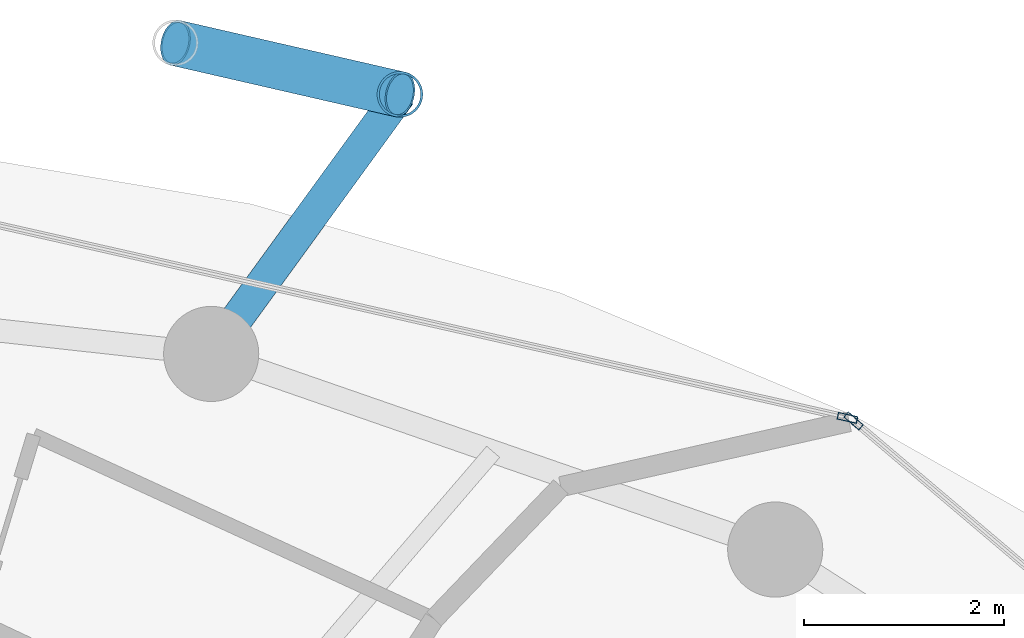
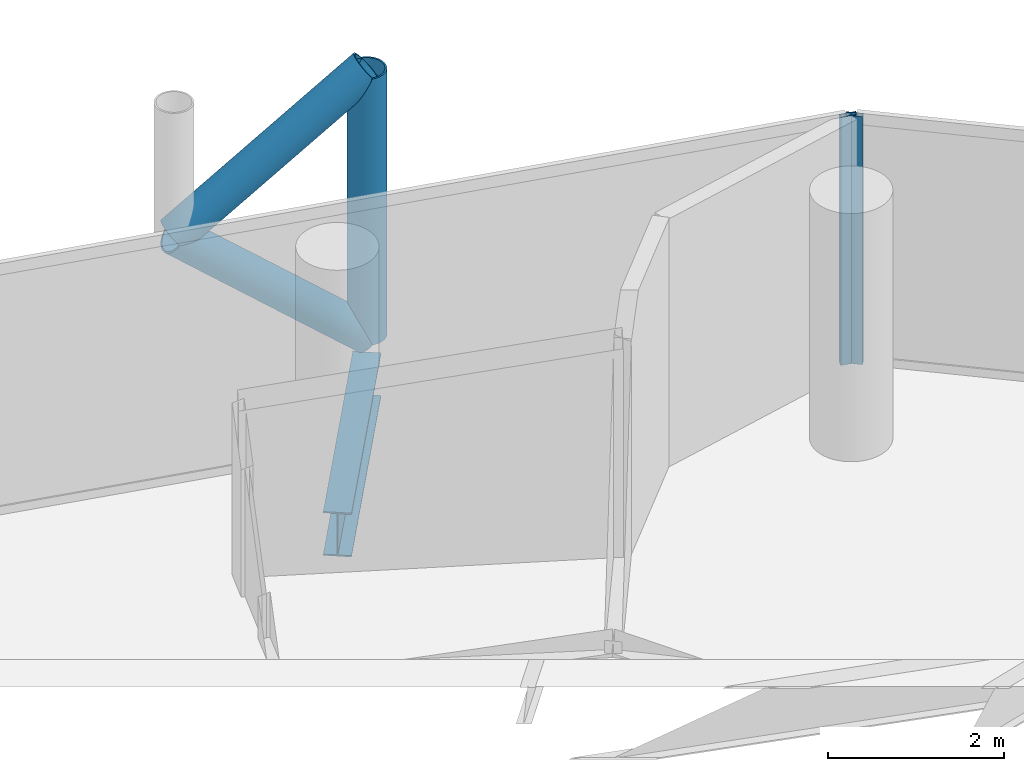
# One storey, part 20 of 26: 5 members, 1 beam, 2 elements without a shape of their own.
"""IFC4 building model written with IfcOpenShell, lengths in metres."""

import ifcopenshell
import ifcopenshell.guid

model = None  # the IFC model being written
_history = None  # IfcOwnerHistory: only IFC2X3 demands one
_inside = {}  # id of a spatial element -> (the spatial element, [elements in it])
_under = {}  # id of a project, library or spatial element -> (it, [spatial elements below it])
_declared = {}  # id of a project -> (the project, [libraries it declares])
_typed = {}  # id of a type object -> (the type object, [elements of that type])
_made_of = {}  # id of a material, layer set ... -> (it, [elements and type objects made of it])


def new_model(schema):
    """Start an empty IFC model of exactly this schema.

    Asked for "IFC4X3", IfcOpenShell would pick the latest addendum, in which some entities
    have other attributes; the version numbers below select the first issue.
    IFC2X3 requires an IfcOwnerHistory on every rooted entity: one is made here for all.
    """
    global model, _history
    if schema == "IFC4X3":
        model = ifcopenshell.file(schema_version=(4, 3, 0, 0))
    else:
        model = ifcopenshell.file(schema=schema)
    _inside.clear()
    _under.clear()
    _declared.clear()
    _typed.clear()
    _made_of.clear()
    _history = None
    if model.schema == "IFC2X3":
        org = make("IfcOrganization", Name="unknown")
        user = make(
            "IfcPersonAndOrganization",
            ThePerson=make("IfcPerson", FamilyName="unknown"),
            TheOrganization=org,
        )
        app = make(
            "IfcApplication",
            ApplicationDeveloper=org,
            Version="unknown",
            ApplicationFullName="unknown",
            ApplicationIdentifier="unknown",
        )
        _history = make(
            "IfcOwnerHistory",
            OwningUser=user,
            OwningApplication=app,
            ChangeAction="ADDED",
            CreationDate=0,
        )
    return model


def make(cls, **values):
    """One entity of the class cls with the attributes given. An attribute that is None is left unset."""
    return model.create_entity(
        cls, **{name: value for name, value in values.items() if value is not None}
    )


def rooted(cls, **values):
    """An entity with a GlobalId (a new one), such as an element, a storey or a relation."""
    return make(cls, GlobalId=ifcopenshell.guid.new(), OwnerHistory=_history, **values)


def si_unit(unit_type, name, prefix=None):
    """IfcSIUnit, for example si_unit("LENGTHUNIT", "METRE", prefix="MILLI")."""
    return make("IfcSIUnit", UnitType=unit_type, Prefix=prefix, Name=name)


def assignment(units):
    """IfcUnitAssignment: the units of a project."""
    return None if units is None else make("IfcUnitAssignment", Units=units)


def point(xyz):
    """IfcCartesianPoint."""
    return None if xyz is None else make("IfcCartesianPoint", Coordinates=xyz)


def direction(xyz):
    """IfcDirection."""
    return None if xyz is None else make("IfcDirection", DirectionRatios=xyz)


def frame(location, z_axis=None, x_axis=None):
    """IfcAxis2Placement3D, a coordinate frame: its origin and axes. An axis left out is left unset."""
    return make(
        "IfcAxis2Placement3D",
        Location=point(location),
        Axis=direction(z_axis),
        RefDirection=direction(x_axis),
    )


def frame_2d(location, x_axis=None):
    """IfcAxis2Placement2D, a coordinate frame in the plane: its origin and x axis."""
    return make(
        "IfcAxis2Placement2D", Location=point(location), RefDirection=direction(x_axis)
    )


def origin():
    """The frame at (0, 0, 0) with its axes left unset."""
    return frame((0.0, 0.0, 0.0))


def origin_2d():
    """The frame at (0, 0) in the plane with its x axis left unset."""
    return frame_2d((0.0, 0.0))


def place(relative_to, where):
    """IfcLocalPlacement: puts the frame where relative to a parent placement (None: the world)."""
    return make(
        "IfcLocalPlacement", PlacementRelTo=relative_to, RelativePlacement=where
    )


def context(
    kind, dimensions, precision=None, world=None, true_north=None, identifier=None
):
    """IfcGeometricRepresentationContext, for example the 3D "Model" context."""
    return make(
        "IfcGeometricRepresentationContext",
        ContextIdentifier=identifier,
        ContextType=kind,
        CoordinateSpaceDimension=dimensions,
        Precision=precision,
        WorldCoordinateSystem=world,
        TrueNorth=true_north,
    )


def subcontext(parent, identifier, kind, view, scale=None):
    """IfcGeometricRepresentationSubContext, for example "Body" below "Model"."""
    return make(
        "IfcGeometricRepresentationSubContext",
        ContextIdentifier=identifier,
        ContextType=kind,
        ParentContext=parent,
        TargetScale=scale,
        TargetView=view,
    )


def project(units=None, contexts=None):
    """IfcProject with its units and contexts."""
    return rooted(
        "IfcProject",
        Name="project",
        RepresentationContexts=contexts,
        UnitsInContext=assignment(units),
    )


def spatial(cls, under=None, at=None, **own):
    """A site, building, storey or space (cls), placed at a placement, below another one or the project."""
    s = rooted(cls, ObjectPlacement=at, **own)
    if under is not None:
        _under.setdefault(under.id(), (under, []))[1].append(s)
    return s


def profile(cls, at=None, kind="AREA", **sizes):
    """A parametric profile (cls). Its sizes go by their IFC names, for example OverallWidth=200.0."""
    return make(cls, ProfileType=kind, Position=at, **sizes)


def hollow_rectangle(**sizes):
    """IfcRectangleHollowProfileDef."""
    return profile("IfcRectangleHollowProfileDef", **sizes)


def hollow_circle(**sizes):
    """IfcCircleHollowProfileDef."""
    return profile("IfcCircleHollowProfileDef", **sizes)


def i_section(**sizes):
    """IfcIShapeProfileDef."""
    return profile("IfcIShapeProfileDef", **sizes)


def extrude(swept, where, along, depth):
    """IfcExtrudedAreaSolid: the profile swept, set in the frame where, extruded along a direction by depth."""
    return make(
        "IfcExtrudedAreaSolid",
        SweptArea=swept,
        Position=where,
        ExtrudedDirection=direction(along),
        Depth=depth,
    )


def shape(context_of_items, identifier, shape_type, items):
    """IfcShapeRepresentation: the items that make up one representation, for example the "Body"."""
    return make(
        "IfcShapeRepresentation",
        ContextOfItems=context_of_items,
        RepresentationIdentifier=identifier,
        RepresentationType=shape_type,
        Items=items,
    )


def material(Name=None, Category=None):
    """IfcMaterial."""
    return make("IfcMaterial", Name=Name, Category=Category)


def layer(
    of_material, thickness, ventilated=None, Name=None, Category=None, Priority=None
):
    """IfcMaterialLayer: one layer of a wall or slab, of a material (None: an air gap)."""
    return make(
        "IfcMaterialLayer",
        Material=of_material,
        LayerThickness=thickness,
        IsVentilated=ventilated,
        Name=Name,
        Category=Category,
        Priority=Priority,
    )


def layer_set(layers, Name=None):
    """IfcMaterialLayerSet."""
    return make("IfcMaterialLayerSet", MaterialLayers=layers, LayerSetName=Name)


def material_profile(
    of_material, cross_section, Name=None, Category=None, Priority=None
):
    """IfcMaterialProfile: a cross section and its material."""
    return make(
        "IfcMaterialProfile",
        Name=Name,
        Material=of_material,
        Profile=cross_section,
        Priority=Priority,
        Category=Category,
    )


def profile_set(profiles, Name=None, composite=None):
    """IfcMaterialProfileSet."""
    return make(
        "IfcMaterialProfileSet",
        Name=Name,
        MaterialProfiles=profiles,
        CompositeProfile=composite,
    )


def made_of(thing, what):
    """Note that an element or type object is made of a material, layer set ...; save() writes the relation."""
    if what is not None:
        _made_of.setdefault(what.id(), (what, []))[1].append(thing)
    return thing


def type_object(cls, material=None, **own):
    """A type object (cls), such as IfcWallType, which elements share."""
    return made_of(rooted(cls, **own), material)


def element(
    cls,
    number,
    at=None,
    inside=None,
    cuts=None,
    type_object=None,
    material=None,
    context=None,
    identifier="Body",
    shape_type=None,
    held_by="IfcProductDefinitionShape",
    body=None,
    shapes=None,
    **own,
):
    """One element of the class cls, such as IfcWall. Its Tag is "e" and its number.

    at: its placement. inside: the storey or other place that contains it. cuts: it is an
    opening in that element (IfcRelVoidsElement). A single representation is given by context,
    identifier, shape_type and body (its items); several are given by shapes. held_by: the class
    of the entity that holds the representations. save() writes the other relations.
    """
    e = rooted(cls, Tag="e%d" % number, ObjectPlacement=at, **own)
    if body is not None:
        shapes = [shape(context, identifier, shape_type, body)]
    if shapes is not None:
        e.Representation = make(held_by, Representations=shapes)
    if inside is not None:
        _inside.setdefault(inside.id(), (inside, []))[1].append(e)
    if cuts is not None:
        rooted(
            "IfcRelVoidsElement", RelatingBuildingElement=cuts, RelatedOpeningElement=e
        )
    if type_object is not None:
        _typed.setdefault(type_object.id(), (type_object, []))[1].append(e)
    return made_of(e, material)


def aggregate(whole, parts):
    """IfcRelAggregates: a whole, such as a stair, and the parts it consists of."""
    return rooted("IfcRelAggregates", RelatingObject=whole, RelatedObjects=parts)


def save(model, path):
    """Write the relations noted so far, then the file.

    IfcRelAggregates (storeys below a building ...), IfcRelContainedInSpatialStructure (elements
    in a storey), IfcRelDefinesByType, IfcRelAssociatesMaterial and IfcRelDeclares: one each for
    every whole, place, type object, material and project.
    """
    for whole, parts in _under.values():
        aggregate(whole, parts)
    for where, things in _inside.values():
        rooted(
            "IfcRelContainedInSpatialStructure",
            RelatedElements=things,
            RelatingStructure=where,
        )
    for kind, things in _typed.values():
        rooted("IfcRelDefinesByType", RelatedObjects=things, RelatingType=kind)
    for what, things in _made_of.values():
        rooted("IfcRelAssociatesMaterial", RelatedObjects=things, RelatingMaterial=what)
    for by, libraries in _declared.values():
        rooted("IfcRelDeclares", RelatingContext=by, RelatedDefinitions=libraries)
    model.write(path)


model = new_model("IFC4")

# Units and contexts
model_context = context("Model", 3, precision=1e-05, world=origin(), true_north=direction((0.0, 1.0)))
body_context = subcontext(model_context, "Body", "Model", "MODEL_VIEW")
ifc_project = project(units=[si_unit("LENGTHUNIT", "METRE"), si_unit("AREAUNIT", "SQUARE_METRE"), si_unit("VOLUMEUNIT", "CUBIC_METRE"), si_unit("PLANEANGLEUNIT", "RADIAN"), si_unit("MASSUNIT", "GRAM", prefix="KILO")], contexts=[model_context])

# Site, building, storey
site_placement = place(None, origin())
site = spatial("IfcSite", under=ifc_project, at=site_placement, CompositionType="ELEMENT")
building_placement = place(site_placement, origin())
building = spatial("IfcBuilding", under=site, at=building_placement, Name="Nuhasar Tower", CompositionType="ELEMENT")
storey_placement = place(building_placement, frame((0.0, 0.0, 121.949951171875)))
storey = spatial("IfcBuildingStorey", under=building, at=storey_placement, Name="L28", CompositionType="ELEMENT", Elevation=121.949951171875)

# Beam
ifc_material_1 = material(Name="Steel S355", Category="steel")
ifc_material_profile_1 = material_profile(ifc_material_1, i_section(OverallWidth=0.323974609375, OverallDepth=0.611083984375, WebThickness=0.0126953125, FlangeThickness=0.01904296875, at=origin_2d()), Name="W24X104")
ifc_profile_set_1 = profile_set([ifc_material_profile_1], Name="Steel S355")
beam_type = type_object("IfcBeamType", Name="BM-TIE-W24X104", PredefinedType="BEAM", material=ifc_profile_set_1)
beam_placement = place(storey_placement, frame((45.04296875, 45.68408203125, -0.554931640625), z_axis=(0.588185286445, 0.808726201387, 0.0), x_axis=(-0.808726201387, 0.588185286445, 0.0)))
element("IfcBeam", 1, at=beam_placement, inside=storey, type_object=beam_type, Name="L28 Exoskeleton Node Tie Beam 03", PredefinedType="BEAM", context=body_context, shape_type="SweptSolid", body=[
    extrude(i_section(OverallWidth=0.323974609375, OverallDepth=0.611083984375, WebThickness=0.0126953125, FlangeThickness=0.01904296875, at=origin_2d()), origin(), (0.0, 0.0, 1.0), 3.204833984375),
])

# Curtain wall, member
ifc_material_2 = material(Name="Aluminium 6063-T6", Category="aluminium")
ifc_layer = layer(ifc_material_2, 0.199951171875)
ifc_layer_set = layer_set([ifc_layer], Name="Aluminium 6063-T6")
curtain_wall_type = type_object("IfcCurtainWallType", Name="CW-Z2-HTL", PredefinedType="NOTDEFINED", material=ifc_layer_set)
curtain_wall_1_placement = place(storey_placement, origin())
curtain_wall_1 = element("IfcCurtainWall", 2, at=curtain_wall_1_placement, inside=storey, type_object=curtain_wall_type, Name="L28 Unitised Curtain Wall 02", PredefinedType="NOTDEFINED")
ifc_material_profile_2 = material_profile(ifc_material_2, hollow_rectangle(XDim=0.070068359375, YDim=0.199951171875, WallThickness=0.0048828125, at=origin_2d()), Name="CWM-3")
ifc_profile_set_2 = profile_set([ifc_material_profile_2], Name="Aluminium 6063-T6")
member_type_1 = type_object("IfcMemberType", Name="CW-MUL-S3", PredefinedType="MULLION", material=ifc_profile_set_2)
member_1_placement = place(storey_placement, frame((51.456787109375, 45.015380859375, 0.0), z_axis=(0.0, 0.0, 1.0), x_axis=(-0.646374438324, -0.763020370292, 0.0)))
member_1 = element("IfcMember", 3, at=member_1_placement, type_object=member_type_1, Name="CW-Z2 mullion 2", PredefinedType="MULLION", context=body_context, shape_type="SweptSolid", body=[
    extrude(hollow_rectangle(XDim=0.070068359375, YDim=0.199951171875, WallThickness=0.0048828125, at=origin_2d()), origin(), (0.0, 0.0, 1.0), 3.449951171875),
])
aggregate(curtain_wall_1, [member_1])

curtain_wall_2_placement = place(storey_placement, origin())
curtain_wall_2 = element("IfcCurtainWall", 4, at=curtain_wall_2_placement, inside=storey, type_object=curtain_wall_type, Name="L28 Unitised Curtain Wall 03", PredefinedType="NOTDEFINED")
member_2_placement = place(storey_placement, frame((51.395751953125, 45.045654296875, 0.0), z_axis=(0.0, 0.0, 1.0), x_axis=(-0.22139729566, -0.975183694221, 0.0)))
member_2 = element("IfcMember", 5, at=member_2_placement, type_object=member_type_1, Name="CW-Z2 mullion 1", PredefinedType="MULLION", context=body_context, shape_type="SweptSolid", body=[
    extrude(hollow_rectangle(XDim=0.070068359375, YDim=0.199951171875, WallThickness=0.0048828125, at=origin_2d()), origin(), (0.0, 0.0, 1.0), 3.449951171875),
])
aggregate(curtain_wall_2, [member_2])

# Members
ifc_material_3 = material(Name="Steel S460", Category="steel")
ifc_material_profile_3 = material_profile(ifc_material_3, hollow_circle(Radius=0.228515625, WallThickness=0.022216796875, at=origin_2d()), Name="HSS457X22.2")
ifc_profile_set_3 = profile_set([ifc_material_profile_3], Name="Steel S460")
member_type_2 = type_object("IfcMemberType", Name="EXO-BRONZE-457", PredefinedType="BRACE", material=ifc_profile_set_3)
member_3_placement = place(storey_placement, frame((46.927978515625, 48.27587890625, 0.0), z_axis=(0.0, 0.0, 1.0), x_axis=(1.0, 0.0, 0.0)))
element("IfcMember", 6, at=member_3_placement, inside=storey, type_object=member_type_2, Name="L28 Exoskeleton Chord Column EC-03A", PredefinedType="BRACE", context=body_context, shape_type="SweptSolid", body=[
    extrude(hollow_circle(Radius=0.228515625, WallThickness=0.022216796875, at=origin_2d()), origin(), (0.0, 0.0, 1.0), 3.699951171875),
])
member_4_placement = place(storey_placement, frame((46.927978515625, 48.27587890625, 0.0), z_axis=(-0.759499549084, 0.174181209885, 0.626754609927), x_axis=(-0.223533724104, -0.974696195842, 0.0)))
element("IfcMember", 7, at=member_4_placement, inside=storey, type_object=member_type_2, Name="L28 Bronze Diagrid Brace W1-03", PredefinedType="BRACE", context=body_context, shape_type="SweptSolid", body=[
    extrude(hollow_circle(Radius=0.228515625, WallThickness=0.022216796875, at=origin_2d()), origin(), (0.0, 0.0, 1.0), 2.951904296875),
])
member_5_placement = place(storey_placement, frame((44.68603515625, 48.7900390625, 1.85009765625), z_axis=(0.759538919781, -0.174190239035, 0.626704388019), x_axis=(0.223533724104, 0.974696195842, 0.0)))
element("IfcMember", 8, at=member_5_placement, inside=storey, type_object=member_type_2, Name="L28 Bronze Diagrid Brace W2-03", PredefinedType="BRACE", context=body_context, shape_type="SweptSolid", body=[
    extrude(hollow_circle(Radius=0.228515625, WallThickness=0.022216796875, at=origin_2d()), origin(), (0.0, 0.0, 1.0), 2.95166015625),
])

save(model, "model.ifc")
